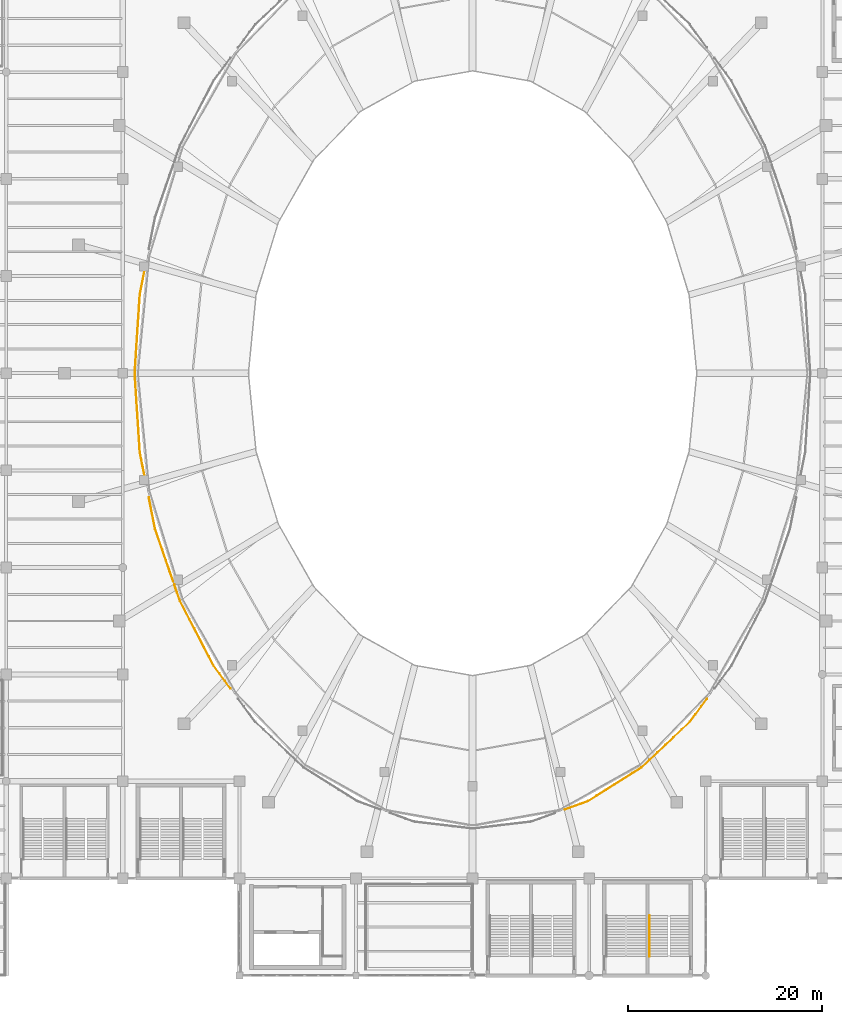
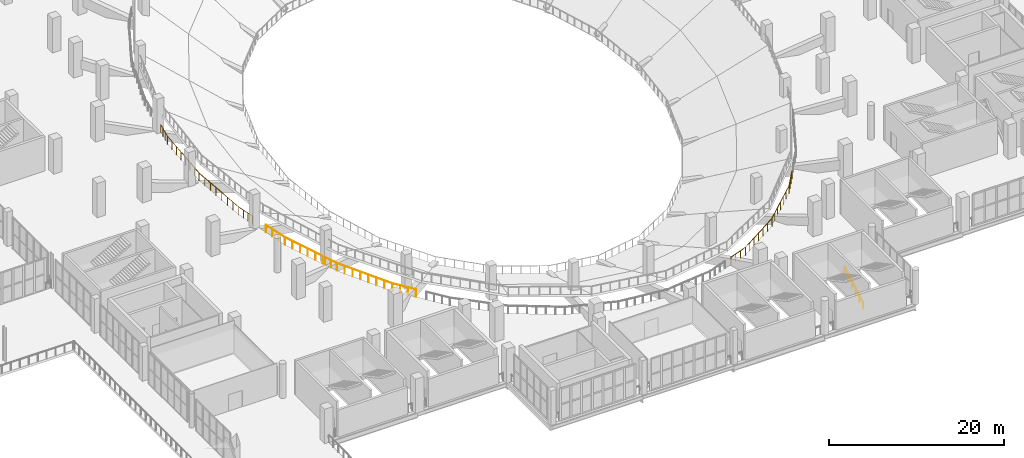
# One storey, part 125 of 136: 5 railings.
"""IFC4 building model written with IfcOpenShell, lengths in metres."""

from ifc_helpers import new_model, si_unit, direction, frame, origin, origin_2d, place, context, subcontext, project, spatial, circle, extrude, material, type_object, element, save


model = new_model("IFC4")

# Units and contexts
model_context = context("Model", 3, precision=1e-05, world=origin(), true_north=direction((0.0, 1.0)))
body_context = subcontext(model_context, "Body", "Model", "MODEL_VIEW")
ifc_project = project(units=[si_unit("LENGTHUNIT", "METRE"), si_unit("AREAUNIT", "SQUARE_METRE"), si_unit("VOLUMEUNIT", "CUBIC_METRE"), si_unit("PLANEANGLEUNIT", "RADIAN"), si_unit("MASSUNIT", "GRAM", prefix="KILO")], contexts=[model_context])

# Site, building, storey
site_placement = place(None, origin())
site = spatial("IfcSite", under=ifc_project, at=site_placement, CompositionType="ELEMENT")
building_placement = place(site_placement, origin())
building = spatial("IfcBuilding", under=site, at=building_placement, Name="Brinegate Civic Arena", CompositionType="ELEMENT")
storey_placement = place(building_placement, frame((0.0, 0.0, 5.39990234375)))
storey = spatial("IfcBuildingStorey", under=building, at=storey_placement, Name="L01", CompositionType="ELEMENT", Elevation=5.39990234375)

# Railings
ifc_material = material(Name="Architectural stainless steel balustrade", Category="steel")
railing_type_1 = type_object("IfcRailingType", Name="RAIL-STAIR-HANDRAIL-900", PredefinedType="HANDRAIL", material=ifc_material)
railing_1_placement = place(storey_placement, frame((126.22509765625, 1.969970703125, 0.0)))
element("IfcRailing", 1, at=railing_1_placement, inside=storey, type_object=railing_type_1, Name="Stair Pitch Handrail ST-04B L01", PredefinedType="HANDRAIL", context=body_context, shape_type="SweptSolid", body=[
    extrude(circle(Radius=0.02392578125, at=origin_2d()), frame((0.0, 0.001220703125, 0.876708984375), z_axis=(0.0, 0.868227612608, 0.496166114024), x_axis=(-1.0, 0.0, 0.0)), (0.0, 0.0, 1.0), 4.83447265625),
    extrude(circle(Radius=0.02099609375, at=origin_2d()), origin(), (0.0, 0.0, 1.0), 0.849853515625),
    extrude(circle(Radius=0.02099609375, at=origin_2d()), frame((0.0, 0.840087890625, 0.47998046875)), (0.0, 0.0, 1.0), 0.849853515625),
    extrude(circle(Radius=0.02099609375, at=origin_2d()), frame((0.0, 1.679931640625, 0.9599609375)), (0.0, 0.0, 1.0), 0.849853515625),
    extrude(circle(Radius=0.02099609375, at=origin_2d()), frame((0.0, 2.52001953125, 1.440185546875)), (0.0, 0.0, 1.0), 0.849853515625),
    extrude(circle(Radius=0.02099609375, at=origin_2d()), frame((0.0, 3.35986328125, 1.920166015625)), (0.0, 0.0, 1.0), 0.849853515625),
    extrude(circle(Radius=0.02099609375, at=origin_2d()), frame((0.0, 4.199951171875, 2.400146484375)), (0.0, 0.0, 1.0), 0.849853515625),
])
railing_type_2 = type_object("IfcRailingType", Name="RAIL-VOID-BALUSTRADE-1120", PredefinedType="BALUSTRADE", material=ifc_material)
railing_2_placement = place(storey_placement, frame((74.22802734375, 72.5048828125, 0.0)))
element("IfcRailing", 2, at=railing_2_placement, inside=storey, type_object=railing_type_2, Name="Deck Edge Balustrade L01-102", PredefinedType="BALUSTRADE", context=body_context, shape_type="SweptSolid", body=[
    extrude(circle(Radius=0.02392578125, at=origin_2d()), frame((-0.000244140625, -0.00146484375, 1.09619140625), z_axis=(-0.195005587963, -0.980802131249, 0.0), x_axis=(0.980802131249, -0.195005587963, 0.0)), (0.0, 0.0, 1.0), 2.406982421875),
    extrude(circle(Radius=0.02392578125, at=origin_2d()), frame((-0.469970703125, -2.365234375, 1.09619140625), z_axis=(-0.064768002585, -0.997900348653, 0.0), x_axis=(0.997900348653, -0.064768002585, 0.0)), (0.0, 0.0, 1.0), 8.150390625),
    extrude(circle(Radius=0.02392578125, at=origin_2d()), frame((-0.998046875, -10.50146484375, 1.09619140625), z_axis=(0.064642934422, -0.997908458241, 0.0), x_axis=(0.997908458241, 0.064642934422, 0.0)), (0.0, 0.0, 1.0), 8.151123046875),
    extrude(circle(Radius=0.02392578125, at=origin_2d()), frame((-0.470703125, -18.638427734375, 1.09619140625), z_axis=(0.194679718384, -0.980866865201, 0.0), x_axis=(0.980866865201, 0.194679718384, 0.0)), (0.0, 0.0, 1.0), 2.416015625),
    extrude(circle(Radius=0.02099609375, at=origin_2d()), origin(), (0.0, 0.0, 1.0), 1.070068359375),
    extrude(circle(Radius=0.02099609375, at=origin_2d()), frame((-0.15673828125, -0.787841796875, 0.0)), (0.0, 0.0, 1.0), 1.070068359375),
    extrude(circle(Radius=0.02099609375, at=origin_2d()), frame((-0.313232421875, -1.575927734375, 0.0)), (0.0, 0.0, 1.0), 1.070068359375),
    extrude(circle(Radius=0.02099609375, at=origin_2d()), frame((-0.469970703125, -2.36376953125, 0.0)), (0.0, 0.0, 1.0), 1.070068359375),
    extrude(circle(Radius=0.02099609375, at=origin_2d()), frame((-0.54541015625, -3.526123046875, 0.0)), (0.0, 0.0, 1.0), 1.070068359375),
    extrude(circle(Radius=0.02099609375, at=origin_2d()), frame((-0.620849609375, -4.6884765625, 0.0)), (0.0, 0.0, 1.0), 1.070068359375),
    extrude(circle(Radius=0.02099609375, at=origin_2d()), frame((-0.6962890625, -5.850830078125, 0.0)), (0.0, 0.0, 1.0), 1.070068359375),
    extrude(circle(Radius=0.02099609375, at=origin_2d()), frame((-0.771728515625, -7.012939453125, 0.0)), (0.0, 0.0, 1.0), 1.070068359375),
    extrude(circle(Radius=0.02099609375, at=origin_2d()), frame((-0.84716796875, -8.17529296875, 0.0)), (0.0, 0.0, 1.0), 1.070068359375),
    extrude(circle(Radius=0.02099609375, at=origin_2d()), frame((-0.922607421875, -9.337646484375, 0.0)), (0.0, 0.0, 1.0), 1.070068359375),
    extrude(circle(Radius=0.02099609375, at=origin_2d()), frame((-0.998046875, -10.5, 0.0)), (0.0, 0.0, 1.0), 1.070068359375),
    extrude(circle(Radius=0.02099609375, at=origin_2d()), frame((-0.9228515625, -11.662353515625, 0.0)), (0.0, 0.0, 1.0), 1.070068359375),
    extrude(circle(Radius=0.02099609375, at=origin_2d()), frame((-0.847412109375, -12.824951171875, 0.0)), (0.0, 0.0, 1.0), 1.070068359375),
    extrude(circle(Radius=0.02099609375, at=origin_2d()), frame((-0.772216796875, -13.9873046875, 0.0)), (0.0, 0.0, 1.0), 1.070068359375),
    extrude(circle(Radius=0.02099609375, at=origin_2d()), frame((-0.69677734375, -15.149658203125, 0.0)), (0.0, 0.0, 1.0), 1.070068359375),
    extrude(circle(Radius=0.02099609375, at=origin_2d()), frame((-0.62158203125, -16.31201171875, 0.0)), (0.0, 0.0, 1.0), 1.070068359375),
    extrude(circle(Radius=0.02099609375, at=origin_2d()), frame((-0.546142578125, -17.474609375, 0.0)), (0.0, 0.0, 1.0), 1.070068359375),
    extrude(circle(Radius=0.02099609375, at=origin_2d()), frame((-0.470947265625, -18.636962890625, 0.0)), (0.0, 0.0, 1.0), 1.070068359375),
    extrude(circle(Radius=0.02099609375, at=origin_2d()), frame((-0.31396484375, -19.427978515625, 0.0)), (0.0, 0.0, 1.0), 1.070068359375),
    extrude(circle(Radius=0.02099609375, at=origin_2d()), frame((-0.156982421875, -20.21875, 0.0)), (0.0, 0.0, 1.0), 1.070068359375),
    extrude(circle(Radius=0.02099609375, at=origin_2d()), frame((0.0, -21.009765625, 0.0)), (0.0, 0.0, 1.0), 1.070068359375),
])
railing_3_placement = place(storey_placement, frame((74.68310546875, 49.2080078125, 0.0)))
element("IfcRailing", 3, at=railing_3_placement, inside=storey, type_object=railing_type_2, Name="Deck Edge Balustrade L01-103", PredefinedType="BALUSTRADE", context=body_context, shape_type="SweptSolid", body=[
    extrude(circle(Radius=0.02392578125, at=origin_2d()), frame((0.000244140625, -0.00146484375, 1.09619140625), z_axis=(0.194675467696, -0.980867708856, 0.0), x_axis=(0.980867708856, 0.194675467696, 0.0)), (0.0, 0.0, 1.0), 3.2890625),
    extrude(circle(Radius=0.02392578125, at=origin_2d()), frame((0.641357421875, -3.23046875, 1.09619140625), z_axis=(0.326766228927, -0.945105196067, 0.0), x_axis=(0.945105196067, 0.326766228927, 0.0)), (0.0, 0.0, 1.0), 5.72021484375),
    extrude(circle(Radius=0.02099609375, at=origin_2d()), origin(), (0.0, 0.0, 1.0), 1.070068359375),
    extrude(circle(Radius=0.02099609375, at=origin_2d()), frame((0.213623046875, -1.076416015625, 0.0)), (0.0, 0.0, 1.0), 1.070068359375),
    extrude(circle(Radius=0.02099609375, at=origin_2d()), frame((0.42724609375, -2.152587890625, 0.0)), (0.0, 0.0, 1.0), 1.070068359375),
    extrude(circle(Radius=0.02099609375, at=origin_2d()), frame((0.640869140625, -3.22900390625, 0.0)), (0.0, 0.0, 1.0), 1.070068359375),
    extrude(circle(Radius=0.02099609375, at=origin_2d()), frame((1.014892578125, -4.310791015625, 0.0)), (0.0, 0.0, 1.0), 1.070068359375),
    extrude(circle(Radius=0.02099609375, at=origin_2d()), frame((1.388916015625, -5.392578125, 0.0)), (0.0, 0.0, 1.0), 1.070068359375),
    extrude(circle(Radius=0.02099609375, at=origin_2d()), frame((1.762939453125, -6.474365234375, 0.0)), (0.0, 0.0, 1.0), 1.070068359375),
    extrude(circle(Radius=0.02099609375, at=origin_2d()), frame((2.136962890625, -7.55615234375, 0.0)), (0.0, 0.0, 1.0), 1.070068359375),
    extrude(circle(Radius=0.02099609375, at=origin_2d()), frame((2.510986328125, -8.637939453125, 0.0)), (0.0, 0.0, 1.0), 1.070068359375),
])
railing_4_placement = place(storey_placement, frame((77.302978515625, 40.2548828125, 0.0)))
element("IfcRailing", 4, at=railing_4_placement, inside=storey, type_object=railing_type_2, Name="Deck Edge Balustrade L01-104", PredefinedType="BALUSTRADE", context=body_context, shape_type="SweptSolid", body=[
    extrude(circle(Radius=0.02392578125, at=origin_2d()), frame((0.00048828125, -0.00146484375, 1.09619140625), z_axis=(0.3267279746, -0.945118421476, 0.0), x_axis=(0.945118421476, 0.3267279746, 0.0)), (0.0, 0.0, 1.0), 1.7724609375),
    extrude(circle(Radius=0.02392578125, at=origin_2d()), frame((0.580810546875, -1.67919921875, 1.09619140625), z_axis=(0.460686741804, -0.887562801117, 0.0), x_axis=(0.887562801117, 0.460686741804, 0.0)), (0.0, 0.0, 1.0), 7.53564453125),
    extrude(circle(Radius=0.02392578125, at=origin_2d()), frame((4.053955078125, -8.3701171875, 1.09619140625), z_axis=(0.595077526965, -0.803668300296, 0.0), x_axis=(0.803668300296, 0.595077526965, 0.0)), (0.0, 0.0, 1.0), 2.916015625),
    extrude(circle(Radius=0.02099609375, at=origin_2d()), origin(), (0.0, 0.0, 1.0), 1.070068359375),
    extrude(circle(Radius=0.02099609375, at=origin_2d()), frame((0.2900390625, -0.8388671875, 0.0)), (0.0, 0.0, 1.0), 1.070068359375),
    extrude(circle(Radius=0.02099609375, at=origin_2d()), frame((0.580078125, -1.677978515625, 0.0)), (0.0, 0.0, 1.0), 1.070068359375),
    extrude(circle(Radius=0.02099609375, at=origin_2d()), frame((1.076171875, -2.6337890625, 0.0)), (0.0, 0.0, 1.0), 1.070068359375),
    extrude(circle(Radius=0.02099609375, at=origin_2d()), frame((1.572265625, -3.589599609375, 0.0)), (0.0, 0.0, 1.0), 1.070068359375),
    extrude(circle(Radius=0.02099609375, at=origin_2d()), frame((2.068359375, -4.54541015625, 0.0)), (0.0, 0.0, 1.0), 1.070068359375),
    extrude(circle(Radius=0.02099609375, at=origin_2d()), frame((2.564697265625, -5.50146484375, 0.0)), (0.0, 0.0, 1.0), 1.070068359375),
    extrude(circle(Radius=0.02099609375, at=origin_2d()), frame((3.060791015625, -6.457275390625, 0.0)), (0.0, 0.0, 1.0), 1.070068359375),
    extrude(circle(Radius=0.02099609375, at=origin_2d()), frame((3.556884765625, -7.4130859375, 0.0)), (0.0, 0.0, 1.0), 1.070068359375),
    extrude(circle(Radius=0.02099609375, at=origin_2d()), frame((4.052978515625, -8.368896484375, 0.0)), (0.0, 0.0, 1.0), 1.070068359375),
    extrude(circle(Radius=0.02099609375, at=origin_2d()), frame((4.632080078125, -9.15087890625, 0.0)), (0.0, 0.0, 1.0), 1.070068359375),
    extrude(circle(Radius=0.02099609375, at=origin_2d()), frame((5.2109375, -9.932861328125, 0.0)), (0.0, 0.0, 1.0), 1.070068359375),
    extrude(circle(Radius=0.02099609375, at=origin_2d()), frame((5.7900390625, -10.71484375, 0.0)), (0.0, 0.0, 1.0), 1.070068359375),
])
railing_5_placement = place(storey_placement, frame((117.490966796875, 17.089111328125, 0.0)))
element("IfcRailing", 5, at=railing_5_placement, inside=storey, type_object=railing_type_2, Name="Deck Edge Balustrade L01-107", PredefinedType="BALUSTRADE", context=body_context, shape_type="SweptSolid", body=[
    extrude(circle(Radius=0.02392578125, at=origin_2d()), frame((0.00146484375, 0.00048828125, 1.09619140625), z_axis=(0.940570022755, 0.339599811978, 0.0), x_axis=(-0.339599811978, 0.940570022755, 0.0)), (0.0, 0.0, 1.0), 2.5498046875),
    extrude(circle(Radius=0.02392578125, at=origin_2d()), frame((2.40234375, 0.86767578125, 1.09619140625), z_axis=(0.846573112604, 0.532272453746, 0.0), x_axis=(-0.532272453746, 0.846573112604, 0.0)), (0.0, 0.0, 1.0), 6.48779296875),
    extrude(circle(Radius=0.02392578125, at=origin_2d()), frame((7.89697265625, 4.32275390625, 1.09619140625), z_axis=(0.727244132843, 0.686378883158, 0.0), x_axis=(-0.686378883158, 0.727244132843, 0.0)), (0.0, 0.0, 1.0), 6.82568359375),
    extrude(circle(Radius=0.02392578125, at=origin_2d()), frame((12.863037109375, 9.010009765625, 1.09619140625), z_axis=(0.59566270232, 0.803234676209, 0.0), x_axis=(-0.803234676209, 0.59566270232, 0.0)), (0.0, 0.0, 1.0), 2.97509765625),
    extrude(circle(Radius=0.02099609375, at=origin_2d()), origin(), (0.0, 0.0, 1.0), 1.070068359375),
    extrude(circle(Radius=0.02099609375, at=origin_2d()), frame((0.80029296875, 0.2890625, 0.0)), (0.0, 0.0, 1.0), 1.070068359375),
    extrude(circle(Radius=0.02099609375, at=origin_2d()), frame((1.600830078125, 0.577880859375, 0.0)), (0.0, 0.0, 1.0), 1.070068359375),
    extrude(circle(Radius=0.02099609375, at=origin_2d()), frame((2.401123046875, 0.866943359375, 0.0)), (0.0, 0.0, 1.0), 1.070068359375),
    extrude(circle(Radius=0.02099609375, at=origin_2d()), frame((3.31689453125, 1.44287109375, 0.0)), (0.0, 0.0, 1.0), 1.070068359375),
    extrude(circle(Radius=0.02099609375, at=origin_2d()), frame((4.232666015625, 2.0185546875, 0.0)), (0.0, 0.0, 1.0), 1.070068359375),
    extrude(circle(Radius=0.02099609375, at=origin_2d()), frame((5.1484375, 2.59423828125, 0.0)), (0.0, 0.0, 1.0), 1.070068359375),
    extrude(circle(Radius=0.02099609375, at=origin_2d()), frame((6.064453125, 3.170166015625, 0.0)), (0.0, 0.0, 1.0), 1.070068359375),
    extrude(circle(Radius=0.02099609375, at=origin_2d()), frame((6.980224609375, 3.74609375, 0.0)), (0.0, 0.0, 1.0), 1.070068359375),
    extrude(circle(Radius=0.02099609375, at=origin_2d()), frame((7.89599609375, 4.32177734375, 0.0)), (0.0, 0.0, 1.0), 1.070068359375),
    extrude(circle(Radius=0.02099609375, at=origin_2d()), frame((8.7236328125, 5.10302734375, 0.0)), (0.0, 0.0, 1.0), 1.070068359375),
    extrude(circle(Radius=0.02099609375, at=origin_2d()), frame((9.55126953125, 5.884033203125, 0.0)), (0.0, 0.0, 1.0), 1.070068359375),
    extrude(circle(Radius=0.02099609375, at=origin_2d()), frame((10.37890625, 6.665283203125, 0.0)), (0.0, 0.0, 1.0), 1.070068359375),
    extrude(circle(Radius=0.02099609375, at=origin_2d()), frame((11.206787109375, 7.446533203125, 0.0)), (0.0, 0.0, 1.0), 1.070068359375),
    extrude(circle(Radius=0.02099609375, at=origin_2d()), frame((12.034423828125, 8.2275390625, 0.0)), (0.0, 0.0, 1.0), 1.070068359375),
    extrude(circle(Radius=0.02099609375, at=origin_2d()), frame((12.862060546875, 9.0087890625, 0.0)), (0.0, 0.0, 1.0), 1.070068359375),
    extrude(circle(Radius=0.02099609375, at=origin_2d()), frame((13.453369140625, 9.80615234375, 0.0)), (0.0, 0.0, 1.0), 1.070068359375),
    extrude(circle(Radius=0.02099609375, at=origin_2d()), frame((14.044677734375, 10.603515625, 0.0)), (0.0, 0.0, 1.0), 1.070068359375),
    extrude(circle(Radius=0.02099609375, at=origin_2d()), frame((14.635986328125, 11.40087890625, 0.0)), (0.0, 0.0, 1.0), 1.070068359375),
])

save(model, "model.ifc")
